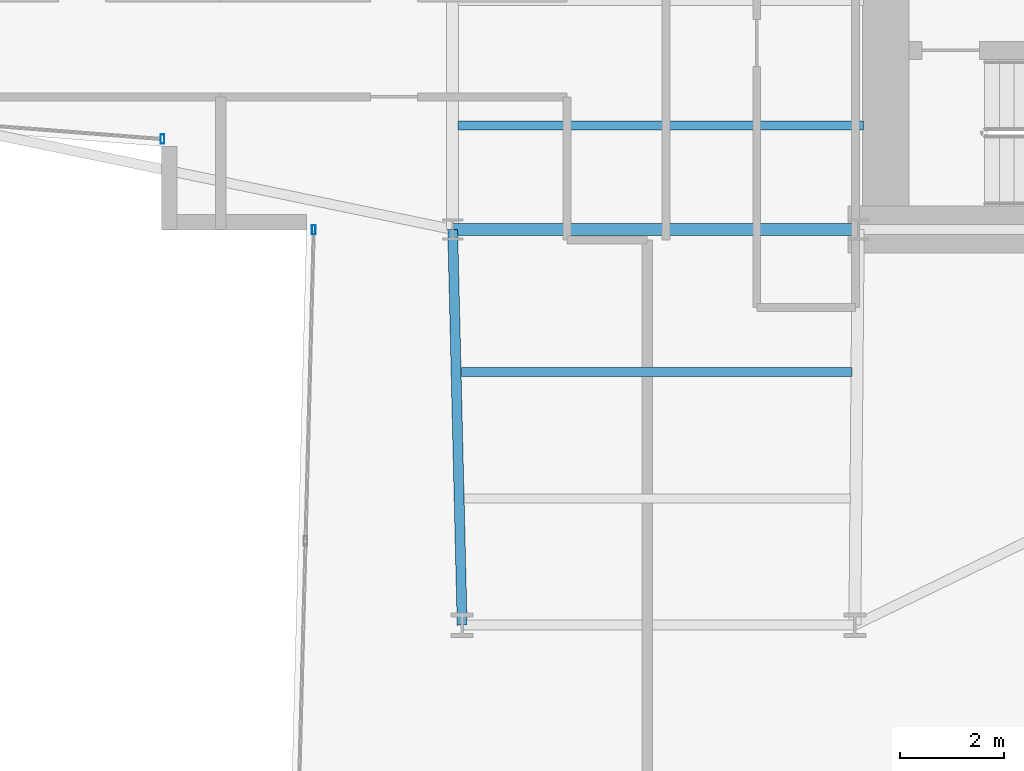
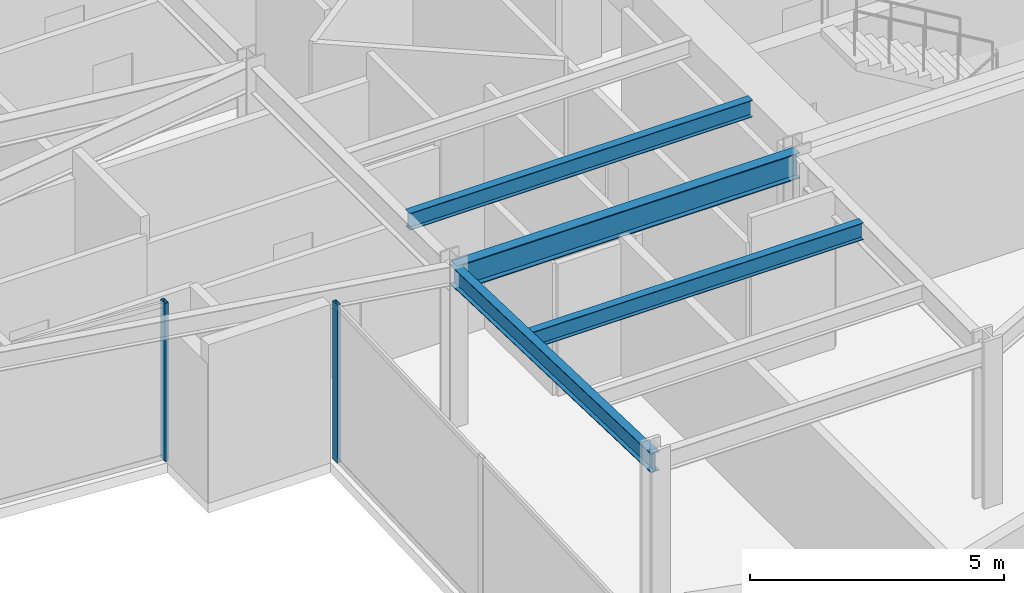
# One storey, part 7 of 29: 4 beams, 2 members, 2 elements without a shape of their own.
"""IFC4 building model written with IfcOpenShell, lengths in metres."""

from ifc_helpers import new_model, si_unit, direction, frame, origin, origin_2d, place, context, subcontext, project, spatial, hollow_rectangle, i_section, extrude, material, layer, layer_set, material_profile, profile_set, type_object, element, aggregate, save


model = new_model("IFC4")

# Units and contexts
model_context = context("Model", 3, precision=1e-05, world=origin(), true_north=direction((0.0, 1.0)))
body_context = subcontext(model_context, "Body", "Model", "MODEL_VIEW")
ifc_project = project(units=[si_unit("LENGTHUNIT", "METRE"), si_unit("AREAUNIT", "SQUARE_METRE"), si_unit("VOLUMEUNIT", "CUBIC_METRE"), si_unit("PLANEANGLEUNIT", "RADIAN"), si_unit("MASSUNIT", "GRAM", prefix="KILO")], contexts=[model_context])

# Site, building, storey
site_placement = place(None, origin())
site = spatial("IfcSite", under=ifc_project, at=site_placement, CompositionType="ELEMENT")
building_placement = place(site_placement, origin())
building = spatial("IfcBuilding", under=site, at=building_placement, Name="Veymaron Broadcast Tower", CompositionType="ELEMENT")
storey_placement = place(building_placement, frame((0.0, 0.0, 62.10009765625)))
storey = spatial("IfcBuildingStorey", under=building, at=storey_placement, Name="L13", CompositionType="ELEMENT", Elevation=62.10009765625)

# Beams
ifc_material_1 = material(Name="Structural steel ASTM A992 Gr 50", Category="steel")
ifc_material_profile_1 = material_profile(ifc_material_1, i_section(OverallWidth=0.22998046875, OverallDepth=0.616943359375, WebThickness=0.01318359375, FlangeThickness=0.022216796875, at=origin_2d()), Name="W610X140")
ifc_profile_set_1 = profile_set([ifc_material_profile_1], Name="Structural steel ASTM A992 Gr 50")
beam_type_1 = type_object("IfcBeamType", Name="BM-FG1", PredefinedType="BEAM", material=ifc_profile_set_1)
beam_1_placement = place(storey_placement, frame((31.199951171875, 16.0, 3.50146484375), z_axis=(1.0, 0.0, 0.0), x_axis=(0.0, 1.0, 0.0)))
element("IfcBeam", 1, at=beam_1_placement, inside=storey, type_object=beam_type_1, Name="L13 primary structural floor girder", PredefinedType="BEAM", context=body_context, shape_type="SweptSolid", body=[
    extrude(i_section(OverallWidth=0.22998046875, OverallDepth=0.616943359375, WebThickness=0.01318359375, FlangeThickness=0.022216796875, at=origin_2d()), origin(), (0.0, 0.0, 1.0), 7.800048828125),
])
ifc_material_profile_2 = material_profile(ifc_material_1, i_section(OverallWidth=0.177978515625, OverallDepth=0.406982421875, WebThickness=0.0078125, FlangeThickness=0.0126953125, at=origin_2d()), Name="W410X60")
ifc_profile_set_2 = profile_set([ifc_material_profile_2], Name="Structural steel ASTM A992 Gr 50")
beam_type_2 = type_object("IfcBeamType", Name="BM-JS1", PredefinedType="JOIST", material=ifc_profile_set_2)
beam_2_placement = place(storey_placement, frame((31.365478515625, 13.260498046875, 3.6064453125), z_axis=(1.0, 0.0, 0.0), x_axis=(0.0, 1.0, 0.0)))
element("IfcBeam", 2, at=beam_2_placement, inside=storey, type_object=beam_type_2, Name="L13 Arm-C secondary joist 1", PredefinedType="JOIST", context=body_context, shape_type="SweptSolid", body=[
    extrude(i_section(OverallWidth=0.177978515625, OverallDepth=0.406982421875, WebThickness=0.0078125, FlangeThickness=0.0126953125, at=origin_2d()), origin(), (0.0, 0.0, 1.0), 7.51123046875),
])
beam_3_placement = place(storey_placement, frame((31.300048828125, 18.0, 3.6064453125), z_axis=(1.0, 0.0, 0.0), x_axis=(0.0, 1.0, 0.0)))
element("IfcBeam", 3, at=beam_3_placement, inside=storey, type_object=beam_type_2, Name="L13 Hub secondary joist 1", PredefinedType="JOIST", context=body_context, shape_type="SweptSolid", body=[
    extrude(i_section(OverallWidth=0.177978515625, OverallDepth=0.406982421875, WebThickness=0.0078125, FlangeThickness=0.0126953125, at=origin_2d()), origin(), (0.0, 0.0, 1.0), 7.800048828125),
])
ifc_material_profile_3 = material_profile(ifc_material_1, i_section(OverallWidth=0.19091796875, OverallDepth=0.4599609375, WebThickness=0.010009765625, FlangeThickness=0.01611328125, at=origin_2d()), Name="W460X82")
ifc_profile_set_3 = profile_set([ifc_material_profile_3], Name="Structural steel ASTM A992 Gr 50")
beam_type_3 = type_object("IfcBeamType", Name="BM-SP1", PredefinedType="SPANDREL", material=ifc_profile_set_3)
beam_4_placement = place(storey_placement, frame((31.199951171875, 16.0, 3.579833984375), z_axis=(0.023925650461, -0.999713740653, 0.0), x_axis=(0.999713740653, 0.023925650461, 0.0)))
element("IfcBeam", 4, at=beam_4_placement, inside=storey, type_object=beam_type_3, Name="L13 primary structural floor girder", PredefinedType="SPANDREL", context=body_context, shape_type="SweptSolid", body=[
    extrude(i_section(OverallWidth=0.19091796875, OverallDepth=0.4599609375, WebThickness=0.010009765625, FlangeThickness=0.01611328125, at=origin_2d()), origin(), (0.0, 0.0, 1.0), 7.6123046875),
])

# Curtain wall, member
ifc_material_2 = material(Name="Anodised aluminium AA 6063-T6 and laminated low-E dark glass", Category="aluminium")
ifc_layer = layer(ifc_material_2, 0.179931640625)
ifc_layer_set = layer_set([ifc_layer], Name="Anodised aluminium AA 6063-T6 and laminated low-E dark glass")
curtain_wall_type = type_object("IfcCurtainWallType", Name="CW-SYS-02", PredefinedType="NOTDEFINED", material=ifc_layer_set)
curtain_wall_1_placement = place(storey_placement, origin())
curtain_wall_1 = element("IfcCurtainWall", 5, at=curtain_wall_1_placement, inside=storey, type_object=curtain_wall_type, Name="L13 dark-glass curtain wall CW-L13-E14-1", PredefinedType="NOTDEFINED")
ifc_material_3 = material(Name="Anodised aluminium AA 6063-T6", Category="aluminium")
ifc_material_profile_4 = material_profile(ifc_material_3, hollow_rectangle(XDim=0.074951171875, YDim=0.179931640625, WallThickness=0.0048828125, at=origin_2d()), Name="AL180X75X5")
ifc_profile_set_4 = profile_set([ifc_material_profile_4], Name="Anodised aluminium AA 6063-T6")
member_type = type_object("IfcMemberType", Name="CW-MUL-02", PredefinedType="MULLION", material=ifc_profile_set_4)
member_1_placement = place(storey_placement, frame((25.618896484375, 17.7392578125, 0.0), z_axis=(0.0, 0.0, 1.0), x_axis=(1.0, 0.0, 0.0)))
member_1 = element("IfcMember", 6, at=member_1_placement, type_object=member_type, Name="CW-L13-E14-1 mullion 3", PredefinedType="MULLION", context=body_context, shape_type="SweptSolid", body=[
    extrude(hollow_rectangle(XDim=0.074951171875, YDim=0.179931640625, WallThickness=0.0048828125, at=origin_2d()), origin(), (0.0, 0.0, 1.0), 3.809814453125),
])
aggregate(curtain_wall_1, [member_1])

curtain_wall_2_placement = place(storey_placement, origin())
curtain_wall_2 = element("IfcCurtainWall", 7, at=curtain_wall_2_placement, inside=storey, type_object=curtain_wall_type, Name="L13 dark-glass curtain wall CW-L13-E17-1", PredefinedType="NOTDEFINED")
member_2_placement = place(storey_placement, frame((28.527099609375, 15.996337890625, 0.0), z_axis=(0.0, 0.0, 1.0), x_axis=(1.0, 0.0, 0.0)))
member_2 = element("IfcMember", 8, at=member_2_placement, type_object=member_type, Name="CW-L13-E17-1 mullion 0", PredefinedType="MULLION", context=body_context, shape_type="SweptSolid", body=[
    extrude(hollow_rectangle(XDim=0.074951171875, YDim=0.179931640625, WallThickness=0.0048828125, at=origin_2d()), origin(), (0.0, 0.0, 1.0), 3.809814453125),
])
aggregate(curtain_wall_2, [member_2])

save(model, "model.ifc")
